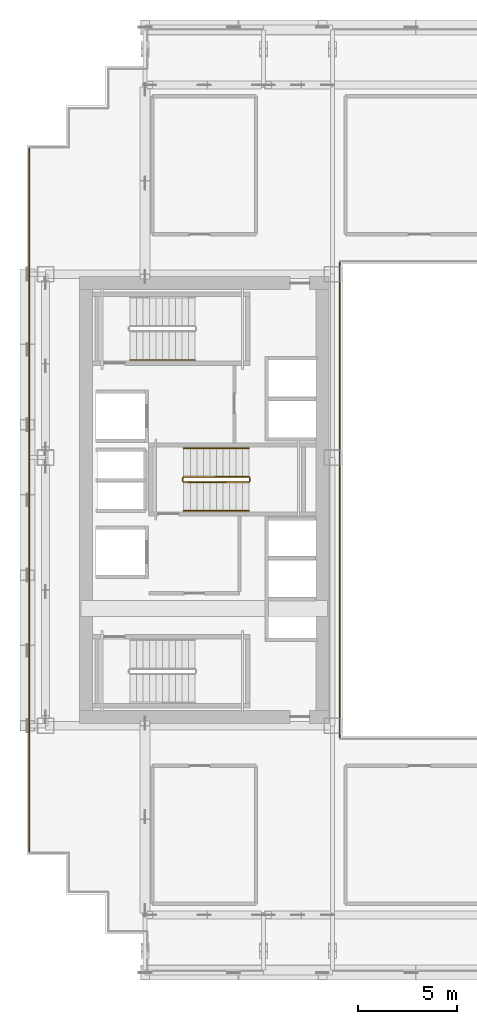
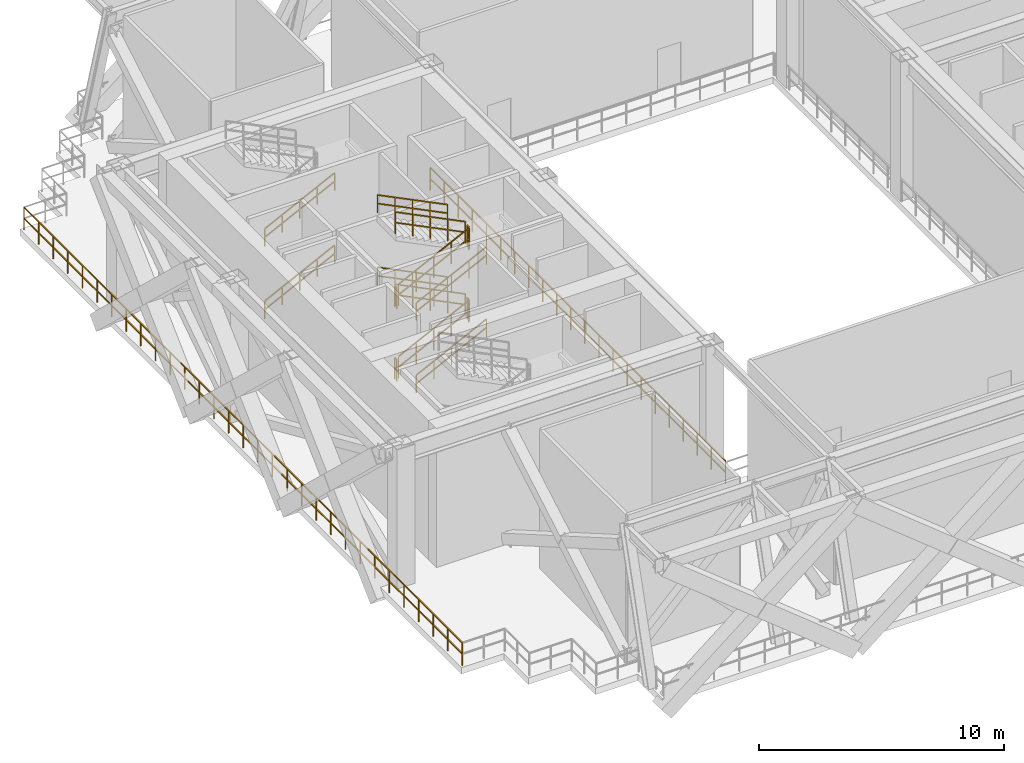
# One storey, part 11 of 14: 16 railings.
"""IFC4 building model written with IfcOpenShell, lengths in metres."""

from ifc_helpers import new_model, si_unit, direction, frame, origin, origin_2d, place, context, subcontext, project, spatial, rectangle, extrude, material, type_object, element, save


model = new_model("IFC4")

# Units and contexts
model_context = context("Model", 3, precision=1e-05, world=origin(), true_north=direction((0.0, 1.0)))
body_context = subcontext(model_context, "Body", "Model", "MODEL_VIEW")
ifc_project = project(units=[si_unit("LENGTHUNIT", "METRE"), si_unit("AREAUNIT", "SQUARE_METRE"), si_unit("VOLUMEUNIT", "CUBIC_METRE"), si_unit("PLANEANGLEUNIT", "RADIAN"), si_unit("MASSUNIT", "GRAM", prefix="KILO")], contexts=[model_context])

# Site, building, storey
site_placement = place(None, origin())
site = spatial("IfcSite", under=ifc_project, at=site_placement, CompositionType="ELEMENT")
building_placement = place(site_placement, origin())
building = spatial("IfcBuilding", under=site, at=building_placement, Name="Ocotamira Hotel", CompositionType="ELEMENT")
storey_placement = place(building_placement, frame((0.0, 0.0, 151.199951171875)))
storey = spatial("IfcBuildingStorey", under=building, at=storey_placement, Name="L38", CompositionType="ELEMENT", Elevation=151.199951171875)

# Railings
ifc_material_1 = material(Name="Painted steel stair guardrail", Category="steel")
railing_type_1 = type_object("IfcRailingType", Name="RL-EDGE-1150", PredefinedType="GUARDRAIL", material=ifc_material_1)
railing_1_placement = place(storey_placement, frame((23.8798828125, 38.0400390625, 0.0)))
element("IfcRailing", 1, at=railing_1_placement, inside=storey, type_object=railing_type_1, Name="L38 Central Atrium Edge Guardrail W", PredefinedType="GUARDRAIL", context=body_context, shape_type="SweptSolid", body=[
    extrude(rectangle(XDim=0.048095703125, YDim=0.048095703125, at=origin_2d()), frame((0.0, 0.0, 1.1259765625), z_axis=(0.0, -1.0, 0.0), x_axis=(1.0, 0.0, 0.0)), (0.0, 0.0, 1.0), 24.080078125),
    extrude(rectangle(XDim=0.048095703125, YDim=0.048095703125, at=origin_2d()), frame((0.0, 0.0, 0.574951171875), z_axis=(0.0, -1.0, 0.0), x_axis=(1.0, 0.0, 0.0)), (0.0, 0.0, 1.0), 24.080078125),
    extrude(rectangle(XDim=0.0419921875, YDim=0.0419921875, at=origin_2d()), origin(), (0.0, 0.0, 1.0), 1.101806640625),
    extrude(rectangle(XDim=0.0419921875, YDim=0.0419921875, at=origin_2d()), frame((0.0, -1.146728515625, 0.0)), (0.0, 0.0, 1.0), 1.101806640625),
    extrude(rectangle(XDim=0.0419921875, YDim=0.0419921875, at=origin_2d()), frame((0.0, -2.29345703125, 0.0)), (0.0, 0.0, 1.0), 1.101806640625),
    extrude(rectangle(XDim=0.0419921875, YDim=0.0419921875, at=origin_2d()), frame((0.0, -3.43994140625, 0.0)), (0.0, 0.0, 1.0), 1.101806640625),
    extrude(rectangle(XDim=0.0419921875, YDim=0.0419921875, at=origin_2d()), frame((0.0, -4.586669921875, 0.0)), (0.0, 0.0, 1.0), 1.101806640625),
    extrude(rectangle(XDim=0.0419921875, YDim=0.0419921875, at=origin_2d()), frame((0.0, -5.7333984375, 0.0)), (0.0, 0.0, 1.0), 1.101806640625),
    extrude(rectangle(XDim=0.0419921875, YDim=0.0419921875, at=origin_2d()), frame((0.0, -6.880126953125, 0.0)), (0.0, 0.0, 1.0), 1.101806640625),
    extrude(rectangle(XDim=0.0419921875, YDim=0.0419921875, at=origin_2d()), frame((0.0, -8.026611328125, 0.0)), (0.0, 0.0, 1.0), 1.101806640625),
    extrude(rectangle(XDim=0.0419921875, YDim=0.0419921875, at=origin_2d()), frame((0.0, -9.17333984375, 0.0)), (0.0, 0.0, 1.0), 1.101806640625),
    extrude(rectangle(XDim=0.0419921875, YDim=0.0419921875, at=origin_2d()), frame((0.0, -10.320068359375, 0.0)), (0.0, 0.0, 1.0), 1.101806640625),
    extrude(rectangle(XDim=0.0419921875, YDim=0.0419921875, at=origin_2d()), frame((0.0, -11.466796875, 0.0)), (0.0, 0.0, 1.0), 1.101806640625),
    extrude(rectangle(XDim=0.0419921875, YDim=0.0419921875, at=origin_2d()), frame((0.0, -12.61328125, 0.0)), (0.0, 0.0, 1.0), 1.101806640625),
    extrude(rectangle(XDim=0.0419921875, YDim=0.0419921875, at=origin_2d()), frame((0.0, -13.760009765625, 0.0)), (0.0, 0.0, 1.0), 1.101806640625),
    extrude(rectangle(XDim=0.0419921875, YDim=0.0419921875, at=origin_2d()), frame((0.0, -14.90673828125, 0.0)), (0.0, 0.0, 1.0), 1.101806640625),
    extrude(rectangle(XDim=0.0419921875, YDim=0.0419921875, at=origin_2d()), frame((0.0, -16.053466796875, 0.0)), (0.0, 0.0, 1.0), 1.101806640625),
    extrude(rectangle(XDim=0.0419921875, YDim=0.0419921875, at=origin_2d()), frame((0.0, -17.199951171875, 0.0)), (0.0, 0.0, 1.0), 1.101806640625),
    extrude(rectangle(XDim=0.0419921875, YDim=0.0419921875, at=origin_2d()), frame((0.0, -18.3466796875, 0.0)), (0.0, 0.0, 1.0), 1.101806640625),
    extrude(rectangle(XDim=0.0419921875, YDim=0.0419921875, at=origin_2d()), frame((0.0, -19.493408203125, 0.0)), (0.0, 0.0, 1.0), 1.101806640625),
    extrude(rectangle(XDim=0.0419921875, YDim=0.0419921875, at=origin_2d()), frame((0.0, -20.64013671875, 0.0)), (0.0, 0.0, 1.0), 1.101806640625),
    extrude(rectangle(XDim=0.0419921875, YDim=0.0419921875, at=origin_2d()), frame((0.0, -21.78662109375, 0.0)), (0.0, 0.0, 1.0), 1.101806640625),
    extrude(rectangle(XDim=0.0419921875, YDim=0.0419921875, at=origin_2d()), frame((0.0, -22.933349609375, 0.0)), (0.0, 0.0, 1.0), 1.101806640625),
    extrude(rectangle(XDim=0.0419921875, YDim=0.0419921875, at=origin_2d()), frame((0.0, -24.080078125, 0.0)), (0.0, 0.0, 1.0), 1.101806640625),
])
ifc_material_2 = material(Name="Brushed stainless steel handrail", Category="steel")
railing_type_2 = type_object("IfcRailingType", Name="RL-HAND-900", PredefinedType="HANDRAIL", material=ifc_material_2)
railing_2_placement = place(storey_placement, frame((13.22998046875, 33.10009765625, 0.327392578125)))
element("IfcRailing", 2, at=railing_2_placement, inside=storey, type_object=railing_type_2, Name="L38 ST-2 stair handrail 1", PredefinedType="HANDRAIL", context=body_context, shape_type="SweptSolid", body=[
    extrude(rectangle(XDim=0.048095703125, YDim=0.048095703125, at=origin_2d()), frame((0.0, 0.0, 0.8759765625), z_axis=(0.895920123917, 0.0, 0.444215186098), x_axis=(0.0, 1.0, 0.0)), (0.0, 0.0, 1.0), 3.683349609375),
    extrude(rectangle(XDim=0.048095703125, YDim=0.048095703125, at=origin_2d()), frame((0.0, 0.0, 0.449951171875), z_axis=(0.895920123917, 0.0, 0.444215186098), x_axis=(0.0, 1.0, 0.0)), (0.0, 0.0, 1.0), 3.683349609375),
    extrude(rectangle(XDim=0.0419921875, YDim=0.0419921875, at=origin_2d()), origin(), (0.0, 0.0, 1.0), 0.851806640625),
    extrude(rectangle(XDim=0.0419921875, YDim=0.0419921875, at=origin_2d()), frame((0.824951171875, 0.0, 0.4091796875)), (0.0, 0.0, 1.0), 0.851806640625),
    extrude(rectangle(XDim=0.0419921875, YDim=0.0419921875, at=origin_2d()), frame((1.64990234375, 0.0, 0.818115234375)), (0.0, 0.0, 1.0), 0.851806640625),
    extrude(rectangle(XDim=0.0419921875, YDim=0.0419921875, at=origin_2d()), frame((2.47509765625, 0.0, 1.22705078125)), (0.0, 0.0, 1.0), 0.851806640625),
    extrude(rectangle(XDim=0.0419921875, YDim=0.0419921875, at=origin_2d()), frame((3.300048828125, 0.0, 1.63623046875)), (0.0, 0.0, 1.0), 0.851806640625),
])
railing_3_placement = place(storey_placement, frame((13.22998046875, 33.10009765625, 3.92724609375)))
element("IfcRailing", 3, at=railing_3_placement, inside=storey, type_object=railing_type_2, Name="L38 ST-2 stair handrail 3", PredefinedType="HANDRAIL", context=body_context, shape_type="SweptSolid", body=[
    extrude(rectangle(XDim=0.048095703125, YDim=0.048095703125, at=origin_2d()), frame((0.0, 0.0, 0.8759765625), z_axis=(0.895893744519, 0.0, 0.4442683857), x_axis=(0.0, 1.0, 0.0)), (0.0, 0.0, 1.0), 3.68359375),
    extrude(rectangle(XDim=0.048095703125, YDim=0.048095703125, at=origin_2d()), frame((0.0, 0.0, 0.449951171875), z_axis=(0.895893744519, 0.0, 0.4442683857), x_axis=(0.0, 1.0, 0.0)), (0.0, 0.0, 1.0), 3.68359375),
    extrude(rectangle(XDim=0.0419921875, YDim=0.0419921875, at=origin_2d()), origin(), (0.0, 0.0, 1.0), 0.851806640625),
    extrude(rectangle(XDim=0.0419921875, YDim=0.0419921875, at=origin_2d()), frame((0.824951171875, 0.0, 0.4091796875)), (0.0, 0.0, 1.0), 0.851806640625),
    extrude(rectangle(XDim=0.0419921875, YDim=0.0419921875, at=origin_2d()), frame((1.64990234375, 0.0, 0.818359375)), (0.0, 0.0, 1.0), 0.851806640625),
    extrude(rectangle(XDim=0.0419921875, YDim=0.0419921875, at=origin_2d()), frame((2.47509765625, 0.0, 1.227294921875)), (0.0, 0.0, 1.0), 0.851806640625),
    extrude(rectangle(XDim=0.0419921875, YDim=0.0419921875, at=origin_2d()), frame((3.300048828125, 0.0, 1.636474609375)), (0.0, 0.0, 1.0), 0.851806640625),
])
railing_4_placement = place(storey_placement, frame((15.9599609375, 25.449951171875, 0.327392578125)))
element("IfcRailing", 4, at=railing_4_placement, inside=storey, type_object=railing_type_2, Name="L38 ST-3 stair handrail 1", PredefinedType="HANDRAIL", context=body_context, shape_type="SweptSolid", body=[
    extrude(rectangle(XDim=0.048095703125, YDim=0.048095703125, at=origin_2d()), frame((0.0, 0.0, 0.8759765625), z_axis=(0.895920123917, 0.0, 0.444215186098), x_axis=(0.0, 1.0, 0.0)), (0.0, 0.0, 1.0), 3.683349609375),
    extrude(rectangle(XDim=0.048095703125, YDim=0.048095703125, at=origin_2d()), frame((0.0, 0.0, 0.449951171875), z_axis=(0.895920123917, 0.0, 0.444215186098), x_axis=(0.0, 1.0, 0.0)), (0.0, 0.0, 1.0), 3.683349609375),
    extrude(rectangle(XDim=0.0419921875, YDim=0.0419921875, at=origin_2d()), origin(), (0.0, 0.0, 1.0), 0.851806640625),
    extrude(rectangle(XDim=0.0419921875, YDim=0.0419921875, at=origin_2d()), frame((0.824951171875, 0.0, 0.4091796875)), (0.0, 0.0, 1.0), 0.851806640625),
    extrude(rectangle(XDim=0.0419921875, YDim=0.0419921875, at=origin_2d()), frame((1.64990234375, 0.0, 0.818115234375)), (0.0, 0.0, 1.0), 0.851806640625),
    extrude(rectangle(XDim=0.0419921875, YDim=0.0419921875, at=origin_2d()), frame((2.47509765625, 0.0, 1.22705078125)), (0.0, 0.0, 1.0), 0.851806640625),
    extrude(rectangle(XDim=0.0419921875, YDim=0.0419921875, at=origin_2d()), frame((3.300048828125, 0.0, 1.63623046875)), (0.0, 0.0, 1.0), 0.851806640625),
])
railing_5_placement = place(storey_placement, frame((19.260009765625, 28.6298828125, 2.12744140625)))
element("IfcRailing", 5, at=railing_5_placement, inside=storey, type_object=railing_type_2, Name="L38 ST-3 stair handrail 2", PredefinedType="HANDRAIL", context=body_context, shape_type="SweptSolid", body=[
    extrude(rectangle(XDim=0.048095703125, YDim=0.048095703125, at=origin_2d()), frame((0.0, 0.0, 0.8759765625), z_axis=(-0.895920123917, 0.0, 0.444215186098), x_axis=(0.0, -1.0, 0.0)), (0.0, 0.0, 1.0), 3.683349609375),
    extrude(rectangle(XDim=0.048095703125, YDim=0.048095703125, at=origin_2d()), frame((0.0, 0.0, 0.449951171875), z_axis=(-0.895920123917, 0.0, 0.444215186098), x_axis=(0.0, -1.0, 0.0)), (0.0, 0.0, 1.0), 3.683349609375),
    extrude(rectangle(XDim=0.0419921875, YDim=0.0419921875, at=origin_2d()), origin(), (0.0, 0.0, 1.0), 0.851806640625),
    extrude(rectangle(XDim=0.0419921875, YDim=0.0419921875, at=origin_2d()), frame((-0.824951171875, 0.0, 0.4091796875)), (0.0, 0.0, 1.0), 0.851806640625),
    extrude(rectangle(XDim=0.0419921875, YDim=0.0419921875, at=origin_2d()), frame((-1.64990234375, 0.0, 0.818115234375)), (0.0, 0.0, 1.0), 0.851806640625),
    extrude(rectangle(XDim=0.0419921875, YDim=0.0419921875, at=origin_2d()), frame((-2.47509765625, 0.0, 1.22705078125)), (0.0, 0.0, 1.0), 0.851806640625),
    extrude(rectangle(XDim=0.0419921875, YDim=0.0419921875, at=origin_2d()), frame((-3.300048828125, 0.0, 1.63623046875)), (0.0, 0.0, 1.0), 0.851806640625),
])
railing_6_placement = place(storey_placement, frame((15.9599609375, 25.449951171875, 3.92724609375)))
element("IfcRailing", 6, at=railing_6_placement, inside=storey, type_object=railing_type_2, Name="L38 ST-3 stair handrail 3", PredefinedType="HANDRAIL", context=body_context, shape_type="SweptSolid", body=[
    extrude(rectangle(XDim=0.048095703125, YDim=0.048095703125, at=origin_2d()), frame((0.0, 0.0, 0.8759765625), z_axis=(0.895893744519, 0.0, 0.4442683857), x_axis=(0.0, 1.0, 0.0)), (0.0, 0.0, 1.0), 3.68359375),
    extrude(rectangle(XDim=0.048095703125, YDim=0.048095703125, at=origin_2d()), frame((0.0, 0.0, 0.449951171875), z_axis=(0.895893744519, 0.0, 0.4442683857), x_axis=(0.0, 1.0, 0.0)), (0.0, 0.0, 1.0), 3.68359375),
    extrude(rectangle(XDim=0.0419921875, YDim=0.0419921875, at=origin_2d()), origin(), (0.0, 0.0, 1.0), 0.851806640625),
    extrude(rectangle(XDim=0.0419921875, YDim=0.0419921875, at=origin_2d()), frame((0.824951171875, 0.0, 0.4091796875)), (0.0, 0.0, 1.0), 0.851806640625),
    extrude(rectangle(XDim=0.0419921875, YDim=0.0419921875, at=origin_2d()), frame((1.64990234375, 0.0, 0.818359375)), (0.0, 0.0, 1.0), 0.851806640625),
    extrude(rectangle(XDim=0.0419921875, YDim=0.0419921875, at=origin_2d()), frame((2.47509765625, 0.0, 1.227294921875)), (0.0, 0.0, 1.0), 0.851806640625),
    extrude(rectangle(XDim=0.0419921875, YDim=0.0419921875, at=origin_2d()), frame((3.300048828125, 0.0, 1.636474609375)), (0.0, 0.0, 1.0), 0.851806640625),
])
railing_7_placement = place(storey_placement, frame((19.260009765625, 28.6298828125, 5.727294921875)))
element("IfcRailing", 7, at=railing_7_placement, inside=storey, type_object=railing_type_2, Name="L38 ST-3 stair handrail 4", PredefinedType="HANDRAIL", context=body_context, shape_type="SweptSolid", body=[
    extrude(rectangle(XDim=0.048095703125, YDim=0.048095703125, at=origin_2d()), frame((0.0, 0.0, 0.8759765625), z_axis=(-0.895893744519, 0.0, 0.4442683857), x_axis=(0.0, -1.0, 0.0)), (0.0, 0.0, 1.0), 3.68359375),
    extrude(rectangle(XDim=0.048095703125, YDim=0.048095703125, at=origin_2d()), frame((0.0, 0.0, 0.449951171875), z_axis=(-0.895893744519, 0.0, 0.4442683857), x_axis=(0.0, -1.0, 0.0)), (0.0, 0.0, 1.0), 3.68359375),
    extrude(rectangle(XDim=0.0419921875, YDim=0.0419921875, at=origin_2d()), origin(), (0.0, 0.0, 1.0), 0.851806640625),
    extrude(rectangle(XDim=0.0419921875, YDim=0.0419921875, at=origin_2d()), frame((-0.824951171875, 0.0, 0.4091796875)), (0.0, 0.0, 1.0), 0.851806640625),
    extrude(rectangle(XDim=0.0419921875, YDim=0.0419921875, at=origin_2d()), frame((-1.64990234375, 0.0, 0.818359375)), (0.0, 0.0, 1.0), 0.851806640625),
    extrude(rectangle(XDim=0.0419921875, YDim=0.0419921875, at=origin_2d()), frame((-2.47509765625, 0.0, 1.227294921875)), (0.0, 0.0, 1.0), 0.851806640625),
    extrude(rectangle(XDim=0.0419921875, YDim=0.0419921875, at=origin_2d()), frame((-3.300048828125, 0.0, 1.636474609375)), (0.0, 0.0, 1.0), 0.851806640625),
])
ifc_material_3 = material(Name="Pale-metal stainless steel guardrail", Category="steel")
railing_type_3 = type_object("IfcRailingType", Name="RL-PERIM-1150", PredefinedType="GUARDRAIL", material=ifc_material_3)
railing_8_placement = place(storey_placement, frame((8.1201171875, 8.1201171875, 0.0)))
element("IfcRailing", 8, at=railing_8_placement, inside=storey, type_object=railing_type_3, Name="L38 Perimeter Guardrail WSLOT1-08", PredefinedType="GUARDRAIL", context=body_context, shape_type="SweptSolid", body=[
    extrude(rectangle(XDim=0.048095703125, YDim=0.048095703125, at=origin_2d()), frame((0.0, 0.0, 1.1259765625), z_axis=(0.0, 1.0, 0.0), x_axis=(-1.0, 0.0, 0.0)), (0.0, 0.0, 1.0), 35.759765625),
    extrude(rectangle(XDim=0.048095703125, YDim=0.048095703125, at=origin_2d()), frame((0.0, 0.0, 0.574951171875), z_axis=(0.0, 1.0, 0.0), x_axis=(-1.0, 0.0, 0.0)), (0.0, 0.0, 1.0), 35.759765625),
    extrude(rectangle(XDim=0.0419921875, YDim=0.0419921875, at=origin_2d()), origin(), (0.0, 0.0, 1.0), 1.101806640625),
    extrude(rectangle(XDim=0.0419921875, YDim=0.0419921875, at=origin_2d()), frame((0.0, 1.19189453125, 0.0)), (0.0, 0.0, 1.0), 1.101806640625),
    extrude(rectangle(XDim=0.0419921875, YDim=0.0419921875, at=origin_2d()), frame((0.0, 2.384033203125, 0.0)), (0.0, 0.0, 1.0), 1.101806640625),
    extrude(rectangle(XDim=0.0419921875, YDim=0.0419921875, at=origin_2d()), frame((0.0, 3.575927734375, 0.0)), (0.0, 0.0, 1.0), 1.101806640625),
    extrude(rectangle(XDim=0.0419921875, YDim=0.0419921875, at=origin_2d()), frame((0.0, 4.76806640625, 0.0)), (0.0, 0.0, 1.0), 1.101806640625),
    extrude(rectangle(XDim=0.0419921875, YDim=0.0419921875, at=origin_2d()), frame((0.0, 5.9599609375, 0.0)), (0.0, 0.0, 1.0), 1.101806640625),
    extrude(rectangle(XDim=0.0419921875, YDim=0.0419921875, at=origin_2d()), frame((0.0, 7.15185546875, 0.0)), (0.0, 0.0, 1.0), 1.101806640625),
    extrude(rectangle(XDim=0.0419921875, YDim=0.0419921875, at=origin_2d()), frame((0.0, 8.343994140625, 0.0)), (0.0, 0.0, 1.0), 1.101806640625),
    extrude(rectangle(XDim=0.0419921875, YDim=0.0419921875, at=origin_2d()), frame((0.0, 9.535888671875, 0.0)), (0.0, 0.0, 1.0), 1.101806640625),
    extrude(rectangle(XDim=0.0419921875, YDim=0.0419921875, at=origin_2d()), frame((0.0, 10.72802734375, 0.0)), (0.0, 0.0, 1.0), 1.101806640625),
    extrude(rectangle(XDim=0.0419921875, YDim=0.0419921875, at=origin_2d()), frame((0.0, 11.919921875, 0.0)), (0.0, 0.0, 1.0), 1.101806640625),
    extrude(rectangle(XDim=0.0419921875, YDim=0.0419921875, at=origin_2d()), frame((0.0, 13.11181640625, 0.0)), (0.0, 0.0, 1.0), 1.101806640625),
    extrude(rectangle(XDim=0.0419921875, YDim=0.0419921875, at=origin_2d()), frame((0.0, 14.303955078125, 0.0)), (0.0, 0.0, 1.0), 1.101806640625),
    extrude(rectangle(XDim=0.0419921875, YDim=0.0419921875, at=origin_2d()), frame((0.0, 15.495849609375, 0.0)), (0.0, 0.0, 1.0), 1.101806640625),
    extrude(rectangle(XDim=0.0419921875, YDim=0.0419921875, at=origin_2d()), frame((0.0, 16.68798828125, 0.0)), (0.0, 0.0, 1.0), 1.101806640625),
    extrude(rectangle(XDim=0.0419921875, YDim=0.0419921875, at=origin_2d()), frame((0.0, 17.8798828125, 0.0)), (0.0, 0.0, 1.0), 1.101806640625),
    extrude(rectangle(XDim=0.0419921875, YDim=0.0419921875, at=origin_2d()), frame((0.0, 19.07177734375, 0.0)), (0.0, 0.0, 1.0), 1.101806640625),
    extrude(rectangle(XDim=0.0419921875, YDim=0.0419921875, at=origin_2d()), frame((0.0, 20.263916015625, 0.0)), (0.0, 0.0, 1.0), 1.101806640625),
    extrude(rectangle(XDim=0.0419921875, YDim=0.0419921875, at=origin_2d()), frame((0.0, 21.455810546875, 0.0)), (0.0, 0.0, 1.0), 1.101806640625),
    extrude(rectangle(XDim=0.0419921875, YDim=0.0419921875, at=origin_2d()), frame((0.0, 22.64794921875, 0.0)), (0.0, 0.0, 1.0), 1.101806640625),
    extrude(rectangle(XDim=0.0419921875, YDim=0.0419921875, at=origin_2d()), frame((0.0, 23.83984375, 0.0)), (0.0, 0.0, 1.0), 1.101806640625),
    extrude(rectangle(XDim=0.0419921875, YDim=0.0419921875, at=origin_2d()), frame((0.0, 25.03173828125, 0.0)), (0.0, 0.0, 1.0), 1.101806640625),
    extrude(rectangle(XDim=0.0419921875, YDim=0.0419921875, at=origin_2d()), frame((0.0, 26.223876953125, 0.0)), (0.0, 0.0, 1.0), 1.101806640625),
    extrude(rectangle(XDim=0.0419921875, YDim=0.0419921875, at=origin_2d()), frame((0.0, 27.415771484375, 0.0)), (0.0, 0.0, 1.0), 1.101806640625),
    extrude(rectangle(XDim=0.0419921875, YDim=0.0419921875, at=origin_2d()), frame((0.0, 28.60791015625, 0.0)), (0.0, 0.0, 1.0), 1.101806640625),
    extrude(rectangle(XDim=0.0419921875, YDim=0.0419921875, at=origin_2d()), frame((0.0, 29.7998046875, 0.0)), (0.0, 0.0, 1.0), 1.101806640625),
    extrude(rectangle(XDim=0.0419921875, YDim=0.0419921875, at=origin_2d()), frame((0.0, 30.99169921875, 0.0)), (0.0, 0.0, 1.0), 1.101806640625),
    extrude(rectangle(XDim=0.0419921875, YDim=0.0419921875, at=origin_2d()), frame((0.0, 32.183837890625, 0.0)), (0.0, 0.0, 1.0), 1.101806640625),
    extrude(rectangle(XDim=0.0419921875, YDim=0.0419921875, at=origin_2d()), frame((0.0, 33.375732421875, 0.0)), (0.0, 0.0, 1.0), 1.101806640625),
    extrude(rectangle(XDim=0.0419921875, YDim=0.0419921875, at=origin_2d()), frame((0.0, 34.56787109375, 0.0)), (0.0, 0.0, 1.0), 1.101806640625),
    extrude(rectangle(XDim=0.0419921875, YDim=0.0419921875, at=origin_2d()), frame((0.0, 35.759765625, 0.0)), (0.0, 0.0, 1.0), 1.101806640625),
])
railing_type_4 = type_object("IfcRailingType", Name="RL-STAIR-1100", PredefinedType="GUARDRAIL", material=ifc_material_1)
railing_9_placement = place(storey_placement, frame((15.9599609375, 26.909912109375, 0.16357421875)))
element("IfcRailing", 9, at=railing_9_placement, inside=storey, type_object=railing_type_4, Name="L38 ST-3 stair guard 1", PredefinedType="GUARDRAIL", context=body_context, shape_type="SweptSolid", body=[
    extrude(rectangle(XDim=0.048095703125, YDim=0.048095703125, at=origin_2d()), frame((0.0, 0.0, 1.076171875), z_axis=(0.895893744519, 0.0, 0.4442683857), x_axis=(0.0, 1.0, 0.0)), (0.0, 0.0, 1.0), 3.68359375),
    extrude(rectangle(XDim=0.048095703125, YDim=0.048095703125, at=origin_2d()), frame((0.0, 0.0, 0.550048828125), z_axis=(0.895893744519, 0.0, 0.4442683857), x_axis=(0.0, 1.0, 0.0)), (0.0, 0.0, 1.0), 3.68359375),
    extrude(rectangle(XDim=0.0419921875, YDim=0.0419921875, at=origin_2d()), origin(), (0.0, 0.0, 1.0), 1.052001953125),
    extrude(rectangle(XDim=0.0419921875, YDim=0.0419921875, at=origin_2d()), frame((0.824951171875, 0.0, 0.4091796875)), (0.0, 0.0, 1.0), 1.052001953125),
    extrude(rectangle(XDim=0.0419921875, YDim=0.0419921875, at=origin_2d()), frame((1.64990234375, 0.0, 0.818359375)), (0.0, 0.0, 1.0), 1.052001953125),
    extrude(rectangle(XDim=0.0419921875, YDim=0.0419921875, at=origin_2d()), frame((2.47509765625, 0.0, 1.227294921875)), (0.0, 0.0, 1.0), 1.052001953125),
    extrude(rectangle(XDim=0.0419921875, YDim=0.0419921875, at=origin_2d()), frame((3.300048828125, 0.0, 1.636474609375)), (0.0, 0.0, 1.0), 1.052001953125),
])
railing_10_placement = place(storey_placement, frame((19.31005859375, 26.9599609375, 1.800048828125)))
element("IfcRailing", 10, at=railing_10_placement, inside=storey, type_object=railing_type_4, Name="L38 ST-3 stair guard 2", PredefinedType="GUARDRAIL", context=body_context, shape_type="SweptSolid", body=[
    extrude(rectangle(XDim=0.048095703125, YDim=0.048095703125, at=origin_2d()), frame((0.0, 0.0, 1.076171875), z_axis=(0.0, 1.0, 0.0), x_axis=(-1.0, 0.0, 0.0)), (0.0, 0.0, 1.0), 0.16015625),
    extrude(rectangle(XDim=0.048095703125, YDim=0.048095703125, at=origin_2d()), frame((0.0, 0.0, 0.550048828125), z_axis=(0.0, 1.0, 0.0), x_axis=(-1.0, 0.0, 0.0)), (0.0, 0.0, 1.0), 0.16015625),
    extrude(rectangle(XDim=0.0419921875, YDim=0.0419921875, at=origin_2d()), origin(), (0.0, 0.0, 1.0), 1.052001953125),
    extrude(rectangle(XDim=0.0419921875, YDim=0.0419921875, at=origin_2d()), frame((0.0, 0.16015625, 0.0)), (0.0, 0.0, 1.0), 1.052001953125),
])
railing_11_placement = place(storey_placement, frame((19.260009765625, 27.169921875, 1.963623046875)))
element("IfcRailing", 11, at=railing_11_placement, inside=storey, type_object=railing_type_4, Name="L38 ST-3 stair guard 3", PredefinedType="GUARDRAIL", context=body_context, shape_type="SweptSolid", body=[
    extrude(rectangle(XDim=0.048095703125, YDim=0.048095703125, at=origin_2d()), frame((0.0, 0.0, 1.076171875), z_axis=(-0.895893744519, 0.0, 0.4442683857), x_axis=(0.0, -1.0, 0.0)), (0.0, 0.0, 1.0), 3.68359375),
    extrude(rectangle(XDim=0.048095703125, YDim=0.048095703125, at=origin_2d()), frame((0.0, 0.0, 0.550048828125), z_axis=(-0.895893744519, 0.0, 0.4442683857), x_axis=(0.0, -1.0, 0.0)), (0.0, 0.0, 1.0), 3.68359375),
    extrude(rectangle(XDim=0.0419921875, YDim=0.0419921875, at=origin_2d()), origin(), (0.0, 0.0, 1.0), 1.052001953125),
    extrude(rectangle(XDim=0.0419921875, YDim=0.0419921875, at=origin_2d()), frame((-0.824951171875, 0.0, 0.4091796875)), (0.0, 0.0, 1.0), 1.052001953125),
    extrude(rectangle(XDim=0.0419921875, YDim=0.0419921875, at=origin_2d()), frame((-1.64990234375, 0.0, 0.818359375)), (0.0, 0.0, 1.0), 1.052001953125),
    extrude(rectangle(XDim=0.0419921875, YDim=0.0419921875, at=origin_2d()), frame((-2.47509765625, 0.0, 1.227294921875)), (0.0, 0.0, 1.0), 1.052001953125),
    extrude(rectangle(XDim=0.0419921875, YDim=0.0419921875, at=origin_2d()), frame((-3.300048828125, 0.0, 1.636474609375)), (0.0, 0.0, 1.0), 1.052001953125),
])
railing_12_placement = place(storey_placement, frame((15.909912109375, 26.9599609375, 3.60009765625)))
element("IfcRailing", 12, at=railing_12_placement, inside=storey, type_object=railing_type_4, Name="L38 ST-3 stair guard 4", PredefinedType="GUARDRAIL", context=body_context, shape_type="SweptSolid", body=[
    extrude(rectangle(XDim=0.048095703125, YDim=0.048095703125, at=origin_2d()), frame((0.0, 0.0, 1.076171875), z_axis=(0.0, 1.0, 0.0), x_axis=(-1.0, 0.0, 0.0)), (0.0, 0.0, 1.0), 0.16015625),
    extrude(rectangle(XDim=0.048095703125, YDim=0.048095703125, at=origin_2d()), frame((0.0, 0.0, 0.550048828125), z_axis=(0.0, 1.0, 0.0), x_axis=(-1.0, 0.0, 0.0)), (0.0, 0.0, 1.0), 0.16015625),
    extrude(rectangle(XDim=0.0419921875, YDim=0.0419921875, at=origin_2d()), origin(), (0.0, 0.0, 1.0), 1.052001953125),
    extrude(rectangle(XDim=0.0419921875, YDim=0.0419921875, at=origin_2d()), frame((0.0, 0.16015625, 0.0)), (0.0, 0.0, 1.0), 1.052001953125),
])
railing_13_placement = place(storey_placement, frame((15.9599609375, 26.909912109375, 3.763671875)))
element("IfcRailing", 13, at=railing_13_placement, inside=storey, type_object=railing_type_4, Name="L38 ST-3 stair guard 5", PredefinedType="GUARDRAIL", context=body_context, shape_type="SweptSolid", body=[
    extrude(rectangle(XDim=0.048095703125, YDim=0.048095703125, at=origin_2d()), frame((0.0, 0.0, 1.076171875), z_axis=(0.895893744519, 0.0, 0.4442683857), x_axis=(0.0, 1.0, 0.0)), (0.0, 0.0, 1.0), 3.68359375),
    extrude(rectangle(XDim=0.048095703125, YDim=0.048095703125, at=origin_2d()), frame((0.0, 0.0, 0.550048828125), z_axis=(0.895893744519, 0.0, 0.4442683857), x_axis=(0.0, 1.0, 0.0)), (0.0, 0.0, 1.0), 3.68359375),
    extrude(rectangle(XDim=0.0419921875, YDim=0.0419921875, at=origin_2d()), origin(), (0.0, 0.0, 1.0), 1.052001953125),
    extrude(rectangle(XDim=0.0419921875, YDim=0.0419921875, at=origin_2d()), frame((0.824951171875, 0.0, 0.4091796875)), (0.0, 0.0, 1.0), 1.052001953125),
    extrude(rectangle(XDim=0.0419921875, YDim=0.0419921875, at=origin_2d()), frame((1.64990234375, 0.0, 0.818359375)), (0.0, 0.0, 1.0), 1.052001953125),
    extrude(rectangle(XDim=0.0419921875, YDim=0.0419921875, at=origin_2d()), frame((2.47509765625, 0.0, 1.227294921875)), (0.0, 0.0, 1.0), 1.052001953125),
    extrude(rectangle(XDim=0.0419921875, YDim=0.0419921875, at=origin_2d()), frame((3.300048828125, 0.0, 1.636474609375)), (0.0, 0.0, 1.0), 1.052001953125),
])
railing_14_placement = place(storey_placement, frame((19.31005859375, 26.9599609375, 5.400146484375)))
element("IfcRailing", 14, at=railing_14_placement, inside=storey, type_object=railing_type_4, Name="L38 ST-3 stair guard 6", PredefinedType="GUARDRAIL", context=body_context, shape_type="SweptSolid", body=[
    extrude(rectangle(XDim=0.048095703125, YDim=0.048095703125, at=origin_2d()), frame((0.0, 0.0, 1.076171875), z_axis=(0.0, 1.0, 0.0), x_axis=(-1.0, 0.0, 0.0)), (0.0, 0.0, 1.0), 0.16015625),
    extrude(rectangle(XDim=0.048095703125, YDim=0.048095703125, at=origin_2d()), frame((0.0, 0.0, 0.550048828125), z_axis=(0.0, 1.0, 0.0), x_axis=(-1.0, 0.0, 0.0)), (0.0, 0.0, 1.0), 0.16015625),
    extrude(rectangle(XDim=0.0419921875, YDim=0.0419921875, at=origin_2d()), origin(), (0.0, 0.0, 1.0), 1.052001953125),
    extrude(rectangle(XDim=0.0419921875, YDim=0.0419921875, at=origin_2d()), frame((0.0, 0.16015625, 0.0)), (0.0, 0.0, 1.0), 1.052001953125),
])
railing_15_placement = place(storey_placement, frame((19.260009765625, 27.169921875, 5.563720703125)))
element("IfcRailing", 15, at=railing_15_placement, inside=storey, type_object=railing_type_4, Name="L38 ST-3 stair guard 7", PredefinedType="GUARDRAIL", context=body_context, shape_type="SweptSolid", body=[
    extrude(rectangle(XDim=0.048095703125, YDim=0.048095703125, at=origin_2d()), frame((0.0, 0.0, 1.076171875), z_axis=(-0.895920123917, 0.0, 0.444215186098), x_axis=(0.0, -1.0, 0.0)), (0.0, 0.0, 1.0), 3.683349609375),
    extrude(rectangle(XDim=0.048095703125, YDim=0.048095703125, at=origin_2d()), frame((0.0, 0.0, 0.550048828125), z_axis=(-0.895920123917, 0.0, 0.444215186098), x_axis=(0.0, -1.0, 0.0)), (0.0, 0.0, 1.0), 3.683349609375),
    extrude(rectangle(XDim=0.0419921875, YDim=0.0419921875, at=origin_2d()), origin(), (0.0, 0.0, 1.0), 1.052001953125),
    extrude(rectangle(XDim=0.0419921875, YDim=0.0419921875, at=origin_2d()), frame((-0.824951171875, 0.0, 0.4091796875)), (0.0, 0.0, 1.0), 1.052001953125),
    extrude(rectangle(XDim=0.0419921875, YDim=0.0419921875, at=origin_2d()), frame((-1.64990234375, 0.0, 0.818115234375)), (0.0, 0.0, 1.0), 1.052001953125),
    extrude(rectangle(XDim=0.0419921875, YDim=0.0419921875, at=origin_2d()), frame((-2.47509765625, 0.0, 1.22705078125)), (0.0, 0.0, 1.0), 1.052001953125),
    extrude(rectangle(XDim=0.0419921875, YDim=0.0419921875, at=origin_2d()), frame((-3.300048828125, 0.0, 1.63623046875)), (0.0, 0.0, 1.0), 1.052001953125),
])
railing_16_placement = place(storey_placement, frame((15.909912109375, 26.9599609375, 0.0)))
element("IfcRailing", 16, at=railing_16_placement, inside=storey, type_object=railing_type_4, Name="L38 ST-3 stair guard 8", PredefinedType="GUARDRAIL", context=body_context, shape_type="SweptSolid", body=[
    extrude(rectangle(XDim=0.048095703125, YDim=0.048095703125, at=origin_2d()), frame((0.0, 0.0, 1.076171875), z_axis=(0.0, 1.0, 0.0), x_axis=(-1.0, 0.0, 0.0)), (0.0, 0.0, 1.0), 0.16015625),
    extrude(rectangle(XDim=0.048095703125, YDim=0.048095703125, at=origin_2d()), frame((0.0, 0.0, 0.550048828125), z_axis=(0.0, 1.0, 0.0), x_axis=(-1.0, 0.0, 0.0)), (0.0, 0.0, 1.0), 0.16015625),
    extrude(rectangle(XDim=0.0419921875, YDim=0.0419921875, at=origin_2d()), origin(), (0.0, 0.0, 1.0), 1.052001953125),
    extrude(rectangle(XDim=0.0419921875, YDim=0.0419921875, at=origin_2d()), frame((0.0, 0.16015625, 0.0)), (0.0, 0.0, 1.0), 1.052001953125),
])

save(model, "model.ifc")
